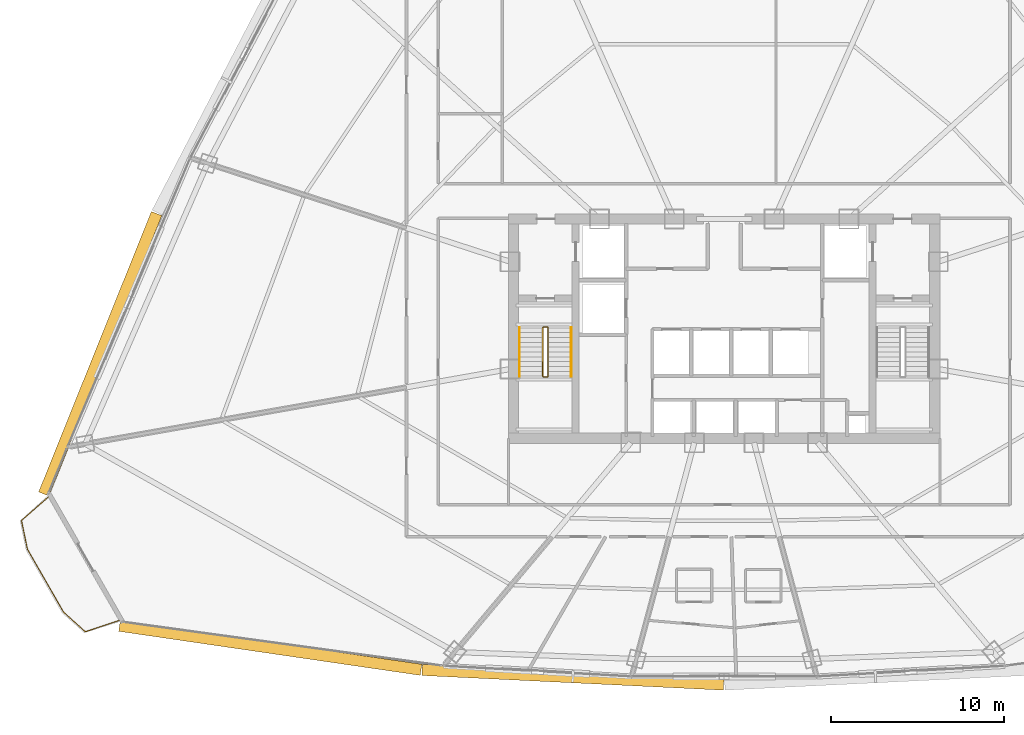
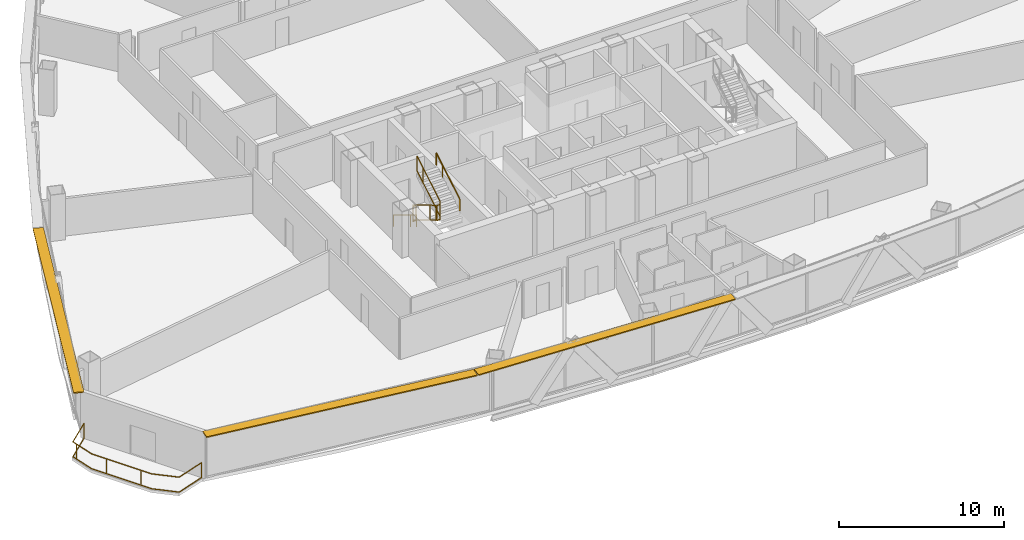
# One storey, part 36 of 39: 7 railings, 3 shading devices.
"""IFC4 building model written with IfcOpenShell, lengths in metres."""

from ifc_helpers import new_model, si_unit, direction, frame, origin, origin_2d, place, context, subcontext, project, spatial, rectangle, extrude, source, transform, mapped, material, layer, layer_set, type_object, element, save


model = new_model("IFC4")

# Units and contexts
model_context = context("Model", 3, precision=1e-05, world=origin(), true_north=direction((0.0, 1.0)))
body_context = subcontext(model_context, "Body", "Model", "MODEL_VIEW")
ifc_project = project(units=[si_unit("LENGTHUNIT", "METRE"), si_unit("AREAUNIT", "SQUARE_METRE"), si_unit("VOLUMEUNIT", "CUBIC_METRE"), si_unit("PLANEANGLEUNIT", "RADIAN"), si_unit("MASSUNIT", "GRAM", prefix="KILO"), si_unit("THERMODYNAMICTEMPERATUREUNIT", "KELVIN"), si_unit("POWERUNIT", "WATT")], contexts=[model_context])

# Site, building, storey
site_placement = place(None, origin())
site = spatial("IfcSite", under=ifc_project, at=site_placement, CompositionType="ELEMENT")
building_placement = place(site_placement, origin())
building = spatial("IfcBuilding", under=site, at=building_placement, Name="Yunzhuo Pagoda Commons", CompositionType="ELEMENT")
storey_placement = place(building_placement, frame((0.0, 0.0, 162.949951171875)))
storey = spatial("IfcBuildingStorey", under=building, at=storey_placement, Name="L41", CompositionType="ELEMENT", Elevation=162.949951171875)

# Railings
ifc_material = material(Name="Anodized aluminium 6063-T6", Category="aluminium")
railing_type_1 = type_object("IfcRailingType", Name="GR-ST1 Stair Well Guardrail 1150", PredefinedType="GUARDRAIL", material=ifc_material)
railing_1_placement = place(storey_placement, frame((37.5, 33.89990234375, 0.167236328125)))
element("IfcRailing", 1, at=railing_1_placement, inside=storey, type_object=railing_type_1, Name="L41 ST1 stair guard 1", PredefinedType="GUARDRAIL", context=body_context, shape_type="SweptSolid", body=[
    extrude(rectangle(XDim=0.048095703125, YDim=0.048095703125, at=origin_2d()), frame((0.0, 0.0, 1.1259765625), z_axis=(0.0, -0.858442565357, 0.512909701589), x_axis=(1.0, 0.0, 0.0)), (0.0, 0.0, 1.0), 3.261474609375),
    extrude(rectangle(XDim=0.048095703125, YDim=0.048095703125, at=origin_2d()), frame((0.0, 0.0, 0.02392578125), z_axis=(0.0, -0.858442565357, 0.512909701589), x_axis=(1.0, 0.0, 0.0)), (0.0, 0.0, 1.0), 3.261474609375),
    extrude(rectangle(XDim=0.0419921875, YDim=0.0419921875, at=origin_2d()), origin(), (0.0, 0.0, 1.0), 1.101806640625),
    extrude(rectangle(XDim=0.0419921875, YDim=0.0419921875, at=origin_2d()), frame((0.0, -2.060302734375, 1.23095703125)), (0.0, 0.0, 1.0), 1.101806640625),
    extrude(rectangle(XDim=0.0419921875, YDim=0.0419921875, at=origin_2d()), frame((0.0, -2.7998046875, 1.6728515625)), (0.0, 0.0, 1.0), 1.101806640625),
])
railing_2_placement = place(storey_placement, frame((37.550048828125, 31.050048828125, 1.840087890625)))
element("IfcRailing", 2, at=railing_2_placement, inside=storey, type_object=railing_type_1, Name="L41 ST1 stair guard 2", PredefinedType="GUARDRAIL", context=body_context, shape_type="SweptSolid", body=[
    extrude(rectangle(XDim=0.048095703125, YDim=0.048095703125, at=origin_2d()), frame((0.0, 0.0, 1.1259765625), z_axis=(1.0, 0.0, 0.0), x_axis=(0.0, 1.0, 0.0)), (0.0, 0.0, 1.0), 0.199951171875),
    extrude(rectangle(XDim=0.048095703125, YDim=0.048095703125, at=origin_2d()), frame((0.0, 0.0, 0.02392578125), z_axis=(1.0, 0.0, 0.0), x_axis=(0.0, 1.0, 0.0)), (0.0, 0.0, 1.0), 0.199951171875),
    extrude(rectangle(XDim=0.0419921875, YDim=0.0419921875, at=origin_2d()), origin(), (0.0, 0.0, 1.0), 1.101806640625),
    extrude(rectangle(XDim=0.0419921875, YDim=0.0419921875, at=origin_2d()), frame((0.199951171875, 0.0, 0.0)), (0.0, 0.0, 1.0), 1.101806640625),
])
railing_3_placement = place(storey_placement, frame((37.800048828125, 31.10009765625, 2.00732421875)))
element("IfcRailing", 3, at=railing_3_placement, inside=storey, type_object=railing_type_1, Name="L41 ST1 stair guard 3", PredefinedType="GUARDRAIL", context=body_context, shape_type="SweptSolid", body=[
    extrude(rectangle(XDim=0.048095703125, YDim=0.048095703125, at=origin_2d()), frame((0.0, 0.0, 1.1259765625), z_axis=(0.0, 0.858475523978, 0.512854535645), x_axis=(-1.0, 0.0, 0.0)), (0.0, 0.0, 1.0), 3.261474609375),
    extrude(rectangle(XDim=0.048095703125, YDim=0.048095703125, at=origin_2d()), frame((0.0, 0.0, 0.02392578125), z_axis=(0.0, 0.858475523978, 0.512854535645), x_axis=(-1.0, 0.0, 0.0)), (0.0, 0.0, 1.0), 3.261474609375),
    extrude(rectangle(XDim=0.0419921875, YDim=0.0419921875, at=origin_2d()), origin(), (0.0, 0.0, 1.0), 1.101806640625),
    extrude(rectangle(XDim=0.0419921875, YDim=0.0419921875, at=origin_2d()), frame((0.0, 2.060302734375, 1.23095703125)), (0.0, 0.0, 1.0), 1.101806640625),
    extrude(rectangle(XDim=0.0419921875, YDim=0.0419921875, at=origin_2d()), frame((0.0, 2.7998046875, 1.672607421875)), (0.0, 0.0, 1.0), 1.101806640625),
])
railing_4_placement = place(storey_placement, frame((37.550048828125, 33.949951171875, 0.0)))
element("IfcRailing", 4, at=railing_4_placement, inside=storey, type_object=railing_type_1, Name="L41 ST1 stair guard 4", PredefinedType="GUARDRAIL", context=body_context, shape_type="SweptSolid", body=[
    extrude(rectangle(XDim=0.048095703125, YDim=0.048095703125, at=origin_2d()), frame((0.0, 0.0, 1.1259765625), z_axis=(1.0, 0.0, 0.0), x_axis=(0.0, 1.0, 0.0)), (0.0, 0.0, 1.0), 0.199951171875),
    extrude(rectangle(XDim=0.048095703125, YDim=0.048095703125, at=origin_2d()), frame((0.0, 0.0, 0.02392578125), z_axis=(1.0, 0.0, 0.0), x_axis=(0.0, 1.0, 0.0)), (0.0, 0.0, 1.0), 0.199951171875),
    extrude(rectangle(XDim=0.0419921875, YDim=0.0419921875, at=origin_2d()), origin(), (0.0, 0.0, 1.0), 1.101806640625),
    extrude(rectangle(XDim=0.0419921875, YDim=0.0419921875, at=origin_2d()), frame((0.199951171875, 0.0, 0.0)), (0.0, 0.0, 1.0), 1.101806640625),
])
railing_type_2 = type_object("IfcRailingType", Name="HR-ST1 Stair Handrail 900", PredefinedType="HANDRAIL", material=ifc_material)
railing_5_placement = place(storey_placement, frame((36.14990234375, 33.89990234375, 0.167236328125)))
element("IfcRailing", 5, at=railing_5_placement, inside=storey, type_object=railing_type_2, Name="L41 ST1 stair handrail 1", PredefinedType="HANDRAIL", context=body_context, shape_type="SweptSolid", body=[
    extrude(rectangle(XDim=0.048095703125, YDim=0.048095703125, at=origin_2d()), frame((0.0, 0.0, 0.8759765625), z_axis=(0.0, -0.858442565357, 0.512909701589), x_axis=(1.0, 0.0, 0.0)), (0.0, 0.0, 1.0), 3.261474609375),
    extrude(rectangle(XDim=0.0419921875, YDim=0.0419921875, at=origin_2d()), origin(), (0.0, 0.0, 1.0), 0.851806640625),
    extrude(rectangle(XDim=0.0419921875, YDim=0.0419921875, at=origin_2d()), frame((0.0, -2.060302734375, 1.23095703125)), (0.0, 0.0, 1.0), 0.851806640625),
    extrude(rectangle(XDim=0.0419921875, YDim=0.0419921875, at=origin_2d()), frame((0.0, -2.7998046875, 1.6728515625)), (0.0, 0.0, 1.0), 0.851806640625),
])
railing_6_placement = place(storey_placement, frame((39.14990234375, 31.10009765625, 2.00732421875)))
element("IfcRailing", 6, at=railing_6_placement, inside=storey, type_object=railing_type_2, Name="L41 ST1 stair handrail 2", PredefinedType="HANDRAIL", context=body_context, shape_type="SweptSolid", body=[
    extrude(rectangle(XDim=0.048095703125, YDim=0.048095703125, at=origin_2d()), frame((0.0, 0.0, 0.8759765625), z_axis=(0.0, 0.858475523978, 0.512854535645), x_axis=(-1.0, 0.0, 0.0)), (0.0, 0.0, 1.0), 3.261474609375),
    extrude(rectangle(XDim=0.0419921875, YDim=0.0419921875, at=origin_2d()), origin(), (0.0, 0.0, 1.0), 0.851806640625),
    extrude(rectangle(XDim=0.0419921875, YDim=0.0419921875, at=origin_2d()), frame((0.0, 2.060302734375, 1.23095703125)), (0.0, 0.0, 1.0), 0.851806640625),
    extrude(rectangle(XDim=0.0419921875, YDim=0.0419921875, at=origin_2d()), frame((0.0, 2.7998046875, 1.672607421875)), (0.0, 0.0, 1.0), 0.851806640625),
])
railing_type_3 = type_object("IfcRailingType", Name="RL-BAL1 Exterior Terrace & Balcony Balustrade 1150", PredefinedType="BALUSTRADE", material=ifc_material)
railing_7_placement = place(storey_placement, frame((8.85791015625, 24.09765625, 0.0)))
element("IfcRailing", 7, at=railing_7_placement, inside=storey, type_object=railing_type_3, Name="L41 corner balcony balustrade V1", PredefinedType="BALUSTRADE", context=body_context, shape_type="SweptSolid", body=[
    extrude(rectangle(XDim=0.048095703125, YDim=0.048095703125, at=origin_2d()), frame((0.0, 0.0, 1.1259765625), z_axis=(-0.753992555518, -0.656882962348, 0.0), x_axis=(0.656882962348, -0.753992555518, 0.0)), (0.0, 0.0, 1.0), 2.05908203125),
    extrude(rectangle(XDim=0.048095703125, YDim=0.048095703125, at=origin_2d()), frame((0.0, 0.0, 0.02392578125), z_axis=(-0.753992555518, -0.656882962348, 0.0), x_axis=(0.656882962348, -0.753992555518, 0.0)), (0.0, 0.0, 1.0), 2.05908203125),
    extrude(rectangle(XDim=0.048095703125, YDim=0.048095703125, at=origin_2d()), frame((-1.552490234375, -1.3525390625, 1.1259765625), z_axis=(0.203359032511, -0.97910423546, 0.0), x_axis=(0.97910423546, 0.203359032511, 0.0)), (0.0, 0.0, 1.0), 1.70361328125),
    extrude(rectangle(XDim=0.048095703125, YDim=0.048095703125, at=origin_2d()), frame((-1.552490234375, -1.3525390625, 0.02392578125), z_axis=(0.203359032511, -0.97910423546, 0.0), x_axis=(0.97910423546, 0.203359032511, 0.0)), (0.0, 0.0, 1.0), 1.70361328125),
    extrude(rectangle(XDim=0.048095703125, YDim=0.048095703125, at=origin_2d()), frame((-1.2060546875, -3.0205078125, 1.1259765625), z_axis=(0.497929078037, -0.867217754226, 0.0), x_axis=(0.867217754226, 0.497929078037, 0.0)), (0.0, 0.0, 1.0), 4.197998046875),
    extrude(rectangle(XDim=0.048095703125, YDim=0.048095703125, at=origin_2d()), frame((-1.2060546875, -3.0205078125, 0.02392578125), z_axis=(0.497929078037, -0.867217754226, 0.0), x_axis=(0.867217754226, 0.497929078037, 0.0)), (0.0, 0.0, 1.0), 4.197998046875),
    extrude(rectangle(XDim=0.048095703125, YDim=0.048095703125, at=origin_2d()), frame((0.88427734375, -6.6611328125, 1.1259765625), z_axis=(0.743044693611, -0.669241797332, 0.0), x_axis=(0.669241797332, 0.743044693611, 0.0)), (0.0, 0.0, 1.0), 1.70361328125),
    extrude(rectangle(XDim=0.048095703125, YDim=0.048095703125, at=origin_2d()), frame((0.88427734375, -6.6611328125, 0.02392578125), z_axis=(0.743044693611, -0.669241797332, 0.0), x_axis=(0.669241797332, 0.743044693611, 0.0)), (0.0, 0.0, 1.0), 1.70361328125),
    extrude(rectangle(XDim=0.048095703125, YDim=0.048095703125, at=origin_2d()), frame((2.150146484375, -7.80126953125, 1.1259765625), z_axis=(0.947419062147, 0.319995501031, 0.0), x_axis=(-0.319995501031, 0.947419062147, 0.0)), (0.0, 0.0, 1.0), 2.05908203125),
    extrude(rectangle(XDim=0.048095703125, YDim=0.048095703125, at=origin_2d()), frame((2.150146484375, -7.80126953125, 0.02392578125), z_axis=(0.947419062147, 0.319995501031, 0.0), x_axis=(-0.319995501031, 0.947419062147, 0.0)), (0.0, 0.0, 1.0), 2.05908203125),
    extrude(rectangle(XDim=0.0419921875, YDim=0.0419921875, at=origin_2d()), origin(), (0.0, 0.0, 1.0), 1.101806640625),
    extrude(rectangle(XDim=0.0419921875, YDim=0.0419921875, at=origin_2d()), frame((-1.483154296875, -1.686279296875, 0.0)), (0.0, 0.0, 1.0), 1.101806640625),
    extrude(rectangle(XDim=0.0419921875, YDim=0.0419921875, at=origin_2d()), frame((-0.689453125, -3.920166015625, 0.0)), (0.0, 0.0, 1.0), 1.101806640625),
    extrude(rectangle(XDim=0.0419921875, YDim=0.0419921875, at=origin_2d()), frame((0.505615234375, -6.00146484375, 0.0)), (0.0, 0.0, 1.0), 1.101806640625),
    extrude(rectangle(XDim=0.0419921875, YDim=0.0419921875, at=origin_2d()), frame((4.10107421875, -7.142333984375, 0.0)), (0.0, 0.0, 1.0), 1.101806640625),
])

# Shading devices
ifc_layer = layer(ifc_material, 0.080078125)
ifc_layer_set = layer_set([ifc_layer], Name="Anodized aluminium 6063-T6")
shading_device_type = type_object("IfcShadingDeviceType", Name="SH-SUN1 Pagoda Horizontal Sunshade Eave 650", PredefinedType="USERDEFINED", material=ifc_layer_set)
shared_shape_1 = source(origin(), body_context, "Body", "SweptSolid", [
    extrude(rectangle(XDim=17.64599609375, YDim=0.64990234375, at=origin_2d()), origin(), (0.0, 0.0, 1.0), 0.080078125),
])
shading_device_1_placement = place(storey_placement, frame((21.71435546875, 15.37109375, 3.340087890625), z_axis=(0.0, 0.0, 1.0), x_axis=(0.989510666697, -0.144459823108, 0.0)))
element("IfcShadingDevice", 8, at=shading_device_1_placement, inside=storey, type_object=shading_device_type, Name="L41 horizontal pagoda sunshade eave F1.1", ObjectType="SUNSHADE", PredefinedType="USERDEFINED", context=body_context, shape_type="MappedRepresentation", body=[
    mapped(shared_shape_1, transform((0.0, 0.0, 0.0), scale=1.0)),
])
shared_shape_2 = source(origin(), body_context, "Body", "SweptSolid", [
    extrude(rectangle(XDim=17.481201171875, YDim=0.64990234375, at=origin_2d()), origin(), (0.0, 0.0, 1.0), 0.080078125),
])
shading_device_2_placement = place(storey_placement, frame((39.238037109375, 13.665771484375, 3.340087890625), z_axis=(0.0, 0.0, 1.0), x_axis=(0.998818043775, -0.04860571396, 0.0)))
element("IfcShadingDevice", 9, at=shading_device_2_placement, inside=storey, type_object=shading_device_type, Name="L41 horizontal pagoda sunshade eave F1.2", ObjectType="SUNSHADE", PredefinedType="USERDEFINED", context=body_context, shape_type="MappedRepresentation", body=[
    mapped(shared_shape_2, transform((0.0, 0.0, 0.0), scale=1.0)),
])
shared_shape_3 = source(origin(), body_context, "Body", "SweptSolid", [
    extrude(rectangle(XDim=17.50439453125, YDim=0.64990234375, at=origin_2d()), origin(), (0.0, 0.0, 1.0), 0.080078125),
])
shading_device_3_placement = place(storey_placement, frame((11.867431640625, 32.395751953125, 3.340087890625), z_axis=(0.0, 0.0, 1.0), x_axis=(-0.372987782576, -0.927836253899, 0.0)))
element("IfcShadingDevice", 10, at=shading_device_3_placement, inside=storey, type_object=shading_device_type, Name="L41 horizontal pagoda sunshade eave F3.4", ObjectType="SUNSHADE", PredefinedType="USERDEFINED", context=body_context, shape_type="MappedRepresentation", body=[
    mapped(shared_shape_3, transform((0.0, 0.0, 0.0), scale=1.0)),
])

save(model, "model.ifc")
